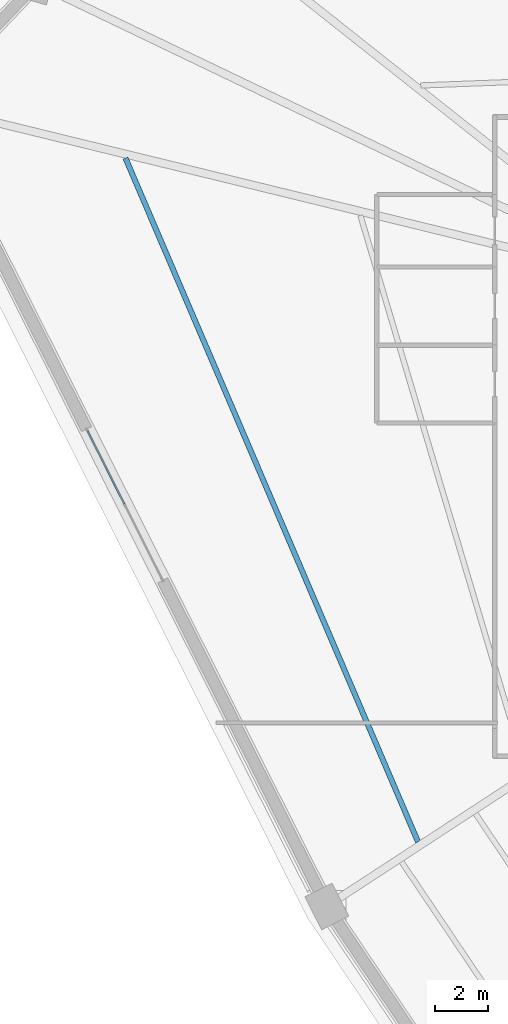
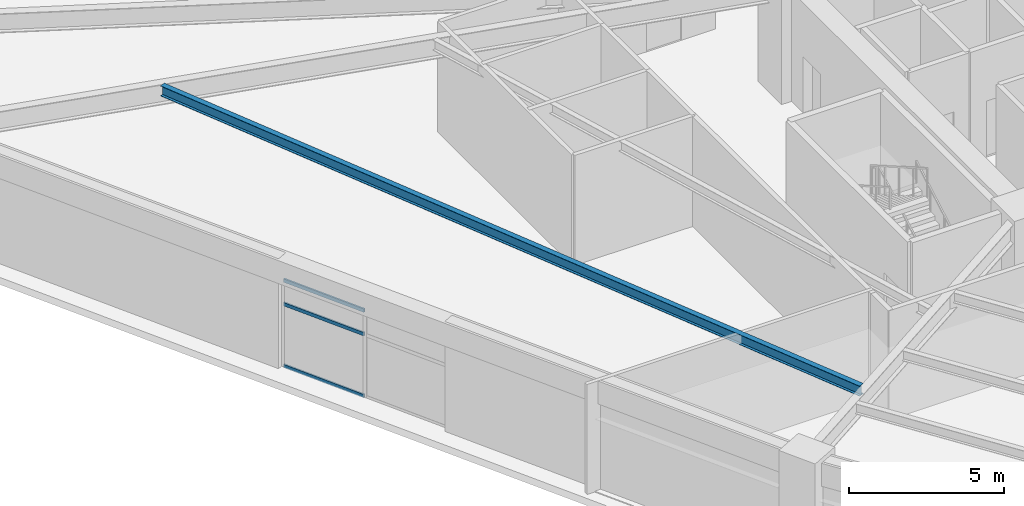
# One storey, part 11 of 30: 3 members, 1 beam, 1 element without a shape of its own.
"""IFC4 building model written with IfcOpenShell, lengths in metres."""

from ifc_helpers import new_model, si_unit, direction, frame, origin, origin_2d, place, context, subcontext, project, spatial, hollow_rectangle, i_section, extrude, source, transform, mapped, material, layer, layer_set, material_profile, profile_set, type_object, element, aggregate, save


model = new_model("IFC4")

# Units and contexts
model_context = context("Model", 3, precision=1e-05, world=origin(), true_north=direction((0.0, 1.0)))
body_context = subcontext(model_context, "Body", "Model", "MODEL_VIEW")
ifc_project = project(units=[si_unit("LENGTHUNIT", "METRE"), si_unit("AREAUNIT", "SQUARE_METRE"), si_unit("VOLUMEUNIT", "CUBIC_METRE"), si_unit("PLANEANGLEUNIT", "RADIAN"), si_unit("MASSUNIT", "GRAM", prefix="KILO")], contexts=[model_context])

# Site, building, storey
site_placement = place(None, origin())
site = spatial("IfcSite", under=ifc_project, at=site_placement, CompositionType="ELEMENT")
building_placement = place(site_placement, origin())
building = spatial("IfcBuilding", under=site, at=building_placement, Name="Liaohun Quay Tower", CompositionType="ELEMENT")
storey_placement = place(building_placement, frame((0.0, 0.0, 97.5)))
storey = spatial("IfcBuildingStorey", under=building, at=storey_placement, Name="L25", CompositionType="ELEMENT", Elevation=97.5)

# Beam
ifc_material_1 = material(Name="Steel Q355D", Category="steel")
ifc_material_profile_1 = material_profile(ifc_material_1, i_section(OverallWidth=0.199951171875, OverallDepth=0.39990234375, WebThickness=0.008056640625, FlangeThickness=0.012939453125, at=origin_2d()), Name="HN400x200x8x13")
ifc_profile_set_1 = profile_set([ifc_material_profile_1], Name="Steel Q355D")
beam_type = type_object("IfcBeamType", Name="BM-SEC-J2", PredefinedType="JOIST", material=ifc_profile_set_1)
shared_shape_1 = source(origin(), body_context, "Body", "SweptSolid", [
    extrude(i_section(OverallWidth=0.199951171875, OverallDepth=0.39990234375, WebThickness=0.008056640625, FlangeThickness=0.012939453125, at=origin_2d()), origin(), (0.0, 0.0, 1.0), 28.118896484375),
])
beam_placement = place(storey_placement, frame((41.535888671875, 40.501953125, 4.1201171875), z_axis=(-0.393358608191, 0.919385123527, 0.0), x_axis=(-0.919385123527, -0.393358608191, 0.0)))
element("IfcBeam", 1, at=beam_placement, inside=storey, type_object=beam_type, Name="L25 Wing Secondary Floor Joist SJ-05", PredefinedType="JOIST", context=body_context, shape_type="MappedRepresentation", body=[
    mapped(shared_shape_1, transform((0.0, 0.0, 0.0), x_axis=(1.0, 0.0, 0.0), y_axis=(0.0, 1.0, 0.0), z_axis=(0.0, 0.0, 1.0), scale=1.0)),
])

# Curtain wall, members
ifc_material_2 = material(Name="Low-rise sky-lobby belvedere curtain wall")
ifc_layer = layer(ifc_material_2, 0.199951171875, Name="Low-rise sky-lobby belvedere curtain wall")
ifc_layer_set = layer_set([ifc_layer], Name="Low-rise sky-lobby belvedere curtain wall")
curtain_wall_type = type_object("IfcCurtainWallType", Name="CW-SKY-L25", PredefinedType="NOTDEFINED", material=ifc_layer_set)
curtain_wall_placement = place(storey_placement, origin())
curtain_wall = element("IfcCurtainWall", 2, at=curtain_wall_placement, inside=storey, type_object=curtain_wall_type, Name="L25 Panoramic Belvedere Curtain Wall 05", PredefinedType="NOTDEFINED")
ifc_material_3 = material(Name="Anodised aluminium 6063-T6", Category="aluminium")
ifc_material_profile_2 = material_profile(ifc_material_3, hollow_rectangle(XDim=0.06005859375, YDim=0.135009765625, WallThickness=0.00390625, at=origin_2d()), Name="RHS135x60x4")
ifc_profile_set_2 = profile_set([ifc_material_profile_2], Name="Anodised aluminium 6063-T6")
member_type = type_object("IfcMemberType", Name="MEM-CWT-SKY", PredefinedType="USERDEFINED", material=ifc_profile_set_2)
shared_shape_2 = source(origin(), body_context, "Body", "SweptSolid", [
    extrude(hollow_rectangle(XDim=0.06005859375, YDim=0.135009765625, WallThickness=0.00390625, at=origin_2d()), origin(), (0.0, 0.0, 1.0), 3.102783203125),
])
member_1_placement = place(storey_placement, frame((29.0361328125, 56.044921875, 0.030029296875), z_axis=(0.449541226797, -0.893259584561, 0.0), x_axis=(0.893259584561, 0.449541226797, 0.0)))
member_1 = element("IfcMember", 3, at=member_1_placement, type_object=member_type, Name="CW3 transom 1.1", ObjectType="TRANSOM", PredefinedType="USERDEFINED", context=body_context, shape_type="MappedRepresentation", body=[
    mapped(shared_shape_2, transform((0.0, 0.0, 0.0), x_axis=(1.0, 0.0, 0.0), y_axis=(0.0, 1.0, 0.0), z_axis=(0.0, 0.0, 1.0), scale=1.0)),
])
member_2_placement = place(storey_placement, frame((29.0361328125, 56.044921875, 2.4619140625), z_axis=(0.449541226797, -0.893259584561, 0.0), x_axis=(0.893259584561, 0.449541226797, 0.0)))
member_2 = element("IfcMember", 4, at=member_2_placement, type_object=member_type, Name="CW3 transom 1.2", ObjectType="TRANSOM", PredefinedType="USERDEFINED", context=body_context, shape_type="MappedRepresentation", body=[
    mapped(shared_shape_2, transform((0.0, 0.0, 0.0), x_axis=(1.0, 0.0, 0.0), y_axis=(0.0, 1.0, 0.0), z_axis=(0.0, 0.0, 1.0), scale=1.0)),
])
member_3_placement = place(storey_placement, frame((29.0361328125, 56.044921875, 3.389892578125), z_axis=(0.449541226797, -0.893259584561, 0.0), x_axis=(0.893259584561, 0.449541226797, 0.0)))
member_3 = element("IfcMember", 5, at=member_3_placement, type_object=member_type, Name="CW3 transom 1.3", ObjectType="TRANSOM", PredefinedType="USERDEFINED", context=body_context, shape_type="MappedRepresentation", body=[
    mapped(shared_shape_2, transform((0.0, 0.0, 0.0), x_axis=(1.0, 0.0, 0.0), y_axis=(0.0, 1.0, 0.0), z_axis=(0.0, 0.0, 1.0), scale=1.0)),
])
aggregate(curtain_wall, [member_1, member_2, member_3])

save(model, "model.ifc")
